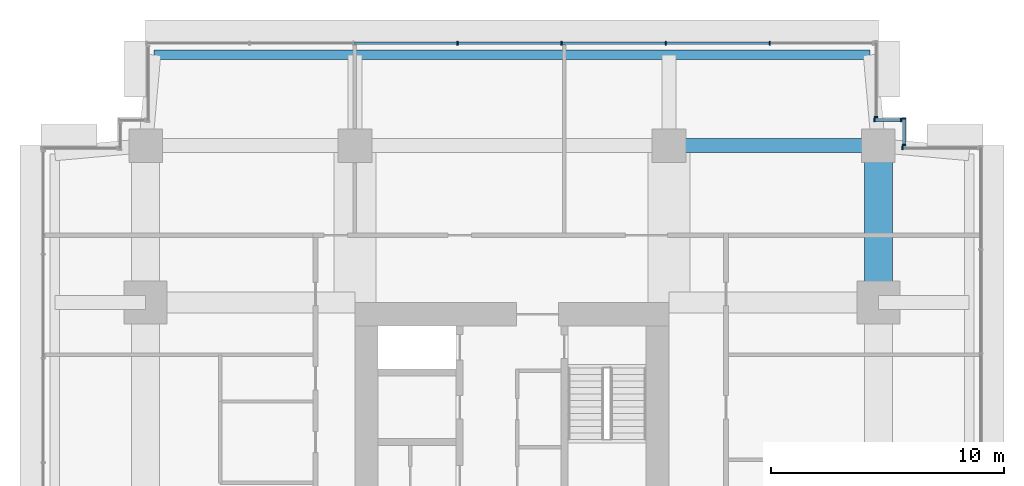
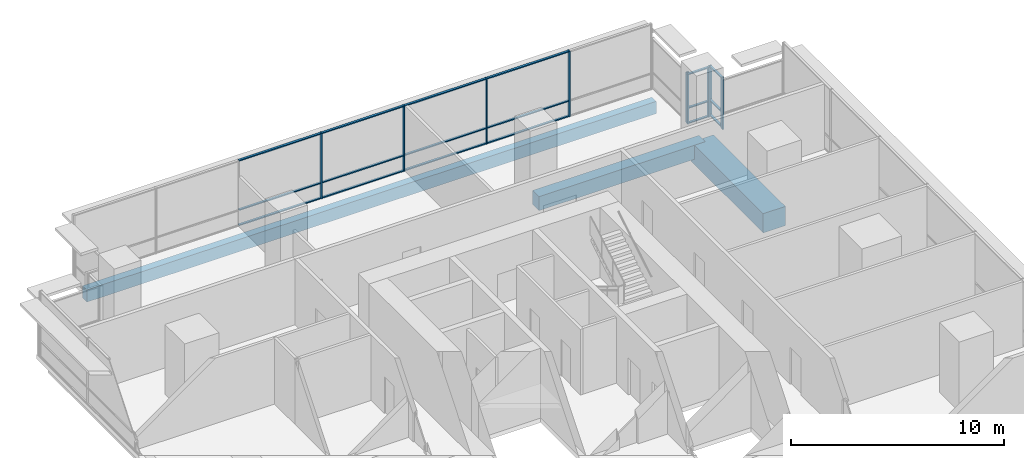
# One storey, part 8 of 14: 28 members, 3 beams, 5 elements without a shape of their own.
"""IFC4 building model written with IfcOpenShell, lengths in metres."""

from ifc_helpers import new_model, si_unit, direction, frame, origin, origin_2d, place, context, subcontext, project, spatial, rectangle, extrude, material, layer, layer_set, material_profile, profile_set, type_object, element, aggregate, save


model = new_model("IFC4")

# Units and contexts
model_context = context("Model", 3, precision=1e-05, world=origin(), true_north=direction((0.0, 1.0)))
body_context = subcontext(model_context, "Body", "Model", "MODEL_VIEW")
ifc_project = project(units=[si_unit("LENGTHUNIT", "METRE"), si_unit("AREAUNIT", "SQUARE_METRE"), si_unit("VOLUMEUNIT", "CUBIC_METRE"), si_unit("PLANEANGLEUNIT", "RADIAN"), si_unit("MASSUNIT", "GRAM", prefix="KILO")], contexts=[model_context])

# Site, building, storey
site_placement = place(None, origin())
site = spatial("IfcSite", under=ifc_project, at=site_placement, CompositionType="ELEMENT")
building_placement = place(site_placement, origin())
building = spatial("IfcBuilding", under=site, at=building_placement, Name="Namib Vertical Campus", CompositionType="ELEMENT")
storey_placement = place(building_placement, frame((0.0, 0.0, 269.0)))
storey = spatial("IfcBuildingStorey", under=building, at=storey_placement, Name="L63", CompositionType="ELEMENT", Elevation=269.0)

# Curtain wall, member
ifc_material_1 = material(Name="Black aluminium curtain wall", Category="aluminium")
ifc_layer = layer(ifc_material_1, 0.199951171875)
ifc_layer_set = layer_set([ifc_layer], Name="Lounge bench curtain wall CW-LB")
curtain_wall_type = type_object("IfcCurtainWallType", Name="Lounge bench curtain wall CW-LB", PredefinedType="USERDEFINED", material=ifc_layer_set)
curtain_wall_1_placement = place(storey_placement, origin())
curtain_wall_1 = element("IfcCurtainWall", 1, at=curtain_wall_1_placement, inside=storey, type_object=curtain_wall_type, Name="Curtain wall CW-LB L63 F07-1", ObjectType="CURTAIN WALL", PredefinedType="USERDEFINED")
ifc_material_2 = material(Name="Black anodised aluminium", Category="aluminium")
ifc_material_profile_1 = material_profile(ifc_material_2, rectangle(XDim=0.06005859375, YDim=0.159912109375, at=origin_2d()))
ifc_profile_set_1 = profile_set([ifc_material_profile_1], Name="Black anodised aluminium")
member_type_1 = type_object("IfcMemberType", Name="Curtain wall mullion 60x160", PredefinedType="MULLION", material=ifc_profile_set_1)
member_1_placement = place(storey_placement, frame((37.030029296875, 35.89990234375, 0.0), z_axis=(0.0, 0.0, 1.0), x_axis=(-1.0, 0.0, 0.0)))
member_1 = element("IfcMember", 2, at=member_1_placement, type_object=member_type_1, Name="CW-LB mullion 2", PredefinedType="MULLION", context=body_context, shape_type="SweptSolid", body=[
    extrude(rectangle(XDim=0.06005859375, YDim=0.159912109375, at=origin_2d()), origin(), (0.0, 0.0, 1.0), 2.85009765625),
])
aggregate(curtain_wall_1, [member_1])

# Curtain wall, members
curtain_wall_2_placement = place(storey_placement, origin())
curtain_wall_2 = element("IfcCurtainWall", 3, at=curtain_wall_2_placement, inside=storey, type_object=curtain_wall_type, Name="Curtain wall CW-LB L63 F08-1", ObjectType="CURTAIN WALL", PredefinedType="USERDEFINED")
member_2_placement = place(storey_placement, frame((37.10009765625, 36.030029296875, 0.0), z_axis=(0.0, 0.0, 1.0), x_axis=(0.0, 1.0, 0.0)))
member_2 = element("IfcMember", 4, at=member_2_placement, type_object=member_type_1, Name="CW-LB mullion 1", PredefinedType="MULLION", context=body_context, shape_type="SweptSolid", body=[
    extrude(rectangle(XDim=0.06005859375, YDim=0.159912109375, at=origin_2d()), origin(), (0.0, 0.0, 1.0), 2.85009765625),
])
member_3_placement = place(storey_placement, frame((37.10009765625, 37.169921875, 0.0), z_axis=(0.0, 0.0, 1.0), x_axis=(0.0, 1.0, 0.0)))
member_3 = element("IfcMember", 5, at=member_3_placement, type_object=member_type_1, Name="CW-LB mullion 2", PredefinedType="MULLION", context=body_context, shape_type="SweptSolid", body=[
    extrude(rectangle(XDim=0.06005859375, YDim=0.159912109375, at=origin_2d()), origin(), (0.0, 0.0, 1.0), 2.85009765625),
])

curtain_wall_3_placement = place(storey_placement, origin())
curtain_wall_3 = element("IfcCurtainWall", 6, at=curtain_wall_3_placement, inside=storey, type_object=curtain_wall_type, Name="Curtain wall CW-LB L63 F09-1", ObjectType="CURTAIN WALL", PredefinedType="USERDEFINED")
member_4_placement = place(storey_placement, frame((36.969970703125, 37.10009765625, 0.0), z_axis=(0.0, 0.0, 1.0), x_axis=(-1.0, 0.0, 0.0)))
member_4 = element("IfcMember", 7, at=member_4_placement, type_object=member_type_1, Name="CW-LB mullion 1", PredefinedType="MULLION", context=body_context, shape_type="SweptSolid", body=[
    extrude(rectangle(XDim=0.06005859375, YDim=0.159912109375, at=origin_2d()), origin(), (0.0, 0.0, 1.0), 2.85009765625),
])
member_5_placement = place(storey_placement, frame((35.830078125, 37.10009765625, 0.0), z_axis=(0.0, 0.0, 1.0), x_axis=(-1.0, 0.0, 0.0)))
member_5 = element("IfcMember", 8, at=member_5_placement, type_object=member_type_1, Name="CW-LB mullion 2", PredefinedType="MULLION", context=body_context, shape_type="SweptSolid", body=[
    extrude(rectangle(XDim=0.06005859375, YDim=0.159912109375, at=origin_2d()), origin(), (0.0, 0.0, 1.0), 2.85009765625),
])

# Curtain wall, member
curtain_wall_4_placement = place(storey_placement, origin())
curtain_wall_4 = element("IfcCurtainWall", 9, at=curtain_wall_4_placement, inside=storey, type_object=curtain_wall_type, Name="Curtain wall CW-LB L63 F10-1", ObjectType="CURTAIN WALL", PredefinedType="USERDEFINED")
member_6_placement = place(storey_placement, frame((35.89990234375, 37.22998046875, 0.0), z_axis=(0.0, 0.0, 1.0), x_axis=(0.0, 1.0, 0.0)))
member_6 = element("IfcMember", 10, at=member_6_placement, type_object=member_type_1, Name="CW-LB mullion 1", PredefinedType="MULLION", context=body_context, shape_type="SweptSolid", body=[
    extrude(rectangle(XDim=0.06005859375, YDim=0.159912109375, at=origin_2d()), origin(), (0.0, 0.0, 1.0), 2.85009765625),
])
aggregate(curtain_wall_4, [member_6])

# Curtain wall, members
curtain_wall_5_placement = place(storey_placement, origin())
curtain_wall_5 = element("IfcCurtainWall", 11, at=curtain_wall_5_placement, inside=storey, type_object=curtain_wall_type, Name="Curtain wall CW-LB L63 F11-1", ObjectType="CURTAIN WALL", PredefinedType="USERDEFINED")
member_7_placement = place(storey_placement, frame((31.32861328125, 40.39990234375, 0.0), z_axis=(0.0, 0.0, 1.0), x_axis=(-1.0, 0.0, 0.0)))
member_7 = element("IfcMember", 12, at=member_7_placement, type_object=member_type_1, Name="CW-LB mullion 2", PredefinedType="MULLION", context=body_context, shape_type="SweptSolid", body=[
    extrude(rectangle(XDim=0.06005859375, YDim=0.159912109375, at=origin_2d()), origin(), (0.0, 0.0, 1.0), 3.75),
])
member_8_placement = place(storey_placement, frame((26.857177734375, 40.39990234375, 0.0), z_axis=(0.0, 0.0, 1.0), x_axis=(-1.0, 0.0, 0.0)))
member_8 = element("IfcMember", 13, at=member_8_placement, type_object=member_type_1, Name="CW-LB mullion 3", PredefinedType="MULLION", context=body_context, shape_type="SweptSolid", body=[
    extrude(rectangle(XDim=0.06005859375, YDim=0.159912109375, at=origin_2d()), origin(), (0.0, 0.0, 1.0), 3.75),
])
member_9_placement = place(storey_placement, frame((22.3857421875, 40.39990234375, 0.0), z_axis=(0.0, 0.0, 1.0), x_axis=(-1.0, 0.0, 0.0)))
member_9 = element("IfcMember", 14, at=member_9_placement, type_object=member_type_1, Name="CW-LB mullion 4", PredefinedType="MULLION", context=body_context, shape_type="SweptSolid", body=[
    extrude(rectangle(XDim=0.06005859375, YDim=0.159912109375, at=origin_2d()), origin(), (0.0, 0.0, 1.0), 3.75),
])
member_10_placement = place(storey_placement, frame((17.914306640625, 40.39990234375, 0.0), z_axis=(0.0, 0.0, 1.0), x_axis=(-1.0, 0.0, 0.0)))
member_10 = element("IfcMember", 15, at=member_10_placement, type_object=member_type_1, Name="CW-LB mullion 5", PredefinedType="MULLION", context=body_context, shape_type="SweptSolid", body=[
    extrude(rectangle(XDim=0.06005859375, YDim=0.159912109375, at=origin_2d()), origin(), (0.0, 0.0, 1.0), 3.75),
])

# Member
ifc_material_3 = material(Name="Black anodised aluminium", Category="aluminium")
ifc_material_profile_2 = material_profile(ifc_material_3, rectangle(XDim=0.06005859375, YDim=0.1201171875, at=origin_2d()))
ifc_profile_set_2 = profile_set([ifc_material_profile_2], Name="Black anodised aluminium")
member_type_2 = type_object("IfcMemberType", Name="Curtain wall transom 60x120", PredefinedType="USERDEFINED", material=ifc_profile_set_2)
member_11_placement = place(storey_placement, frame((37.10009765625, 36.06005859375, 0.030029296875), z_axis=(0.0, 1.0, 0.0), x_axis=(0.0, 0.0, 1.0)))
member_11 = element("IfcMember", 16, at=member_11_placement, type_object=member_type_2, Name="CW-LB transom 1.1", ObjectType="TRANSOM", PredefinedType="USERDEFINED", context=body_context, shape_type="SweptSolid", body=[
    extrude(rectangle(XDim=0.06005859375, YDim=0.1201171875, at=origin_2d()), origin(), (0.0, 0.0, 1.0), 1.079833984375),
])

member_12_placement = place(storey_placement, frame((37.10009765625, 36.06005859375, 0.89990234375), z_axis=(0.0, 1.0, 0.0), x_axis=(0.0, 0.0, 1.0)))
member_12 = element("IfcMember", 17, at=member_12_placement, type_object=member_type_2, Name="CW-LB transom 1.2", ObjectType="TRANSOM", PredefinedType="USERDEFINED", context=body_context, shape_type="SweptSolid", body=[
    extrude(rectangle(XDim=0.06005859375, YDim=0.1201171875, at=origin_2d()), origin(), (0.0, 0.0, 1.0), 1.079833984375),
])

member_13_placement = place(storey_placement, frame((37.10009765625, 36.06005859375, 2.820068359375), z_axis=(0.0, 1.0, 0.0), x_axis=(0.0, 0.0, 1.0)))
member_13 = element("IfcMember", 18, at=member_13_placement, type_object=member_type_2, Name="CW-LB transom 1.3", ObjectType="TRANSOM", PredefinedType="USERDEFINED", context=body_context, shape_type="SweptSolid", body=[
    extrude(rectangle(XDim=0.06005859375, YDim=0.1201171875, at=origin_2d()), origin(), (0.0, 0.0, 1.0), 1.079833984375),
])

aggregate(curtain_wall_2, [member_2, member_3, member_11, member_12, member_13])

member_14_placement = place(storey_placement, frame((36.93994140625, 37.10009765625, 0.030029296875), z_axis=(-1.0, 0.0, 0.0), x_axis=(0.0, 0.0, 1.0)))
member_14 = element("IfcMember", 19, at=member_14_placement, type_object=member_type_2, Name="CW-LB transom 1.1", ObjectType="TRANSOM", PredefinedType="USERDEFINED", context=body_context, shape_type="SweptSolid", body=[
    extrude(rectangle(XDim=0.06005859375, YDim=0.1201171875, at=origin_2d()), origin(), (0.0, 0.0, 1.0), 1.079833984375),
])

member_15_placement = place(storey_placement, frame((36.93994140625, 37.10009765625, 0.89990234375), z_axis=(-1.0, 0.0, 0.0), x_axis=(0.0, 0.0, 1.0)))
member_15 = element("IfcMember", 20, at=member_15_placement, type_object=member_type_2, Name="CW-LB transom 1.2", ObjectType="TRANSOM", PredefinedType="USERDEFINED", context=body_context, shape_type="SweptSolid", body=[
    extrude(rectangle(XDim=0.06005859375, YDim=0.1201171875, at=origin_2d()), origin(), (0.0, 0.0, 1.0), 1.079833984375),
])

member_16_placement = place(storey_placement, frame((36.93994140625, 37.10009765625, 2.820068359375), z_axis=(-1.0, 0.0, 0.0), x_axis=(0.0, 0.0, 1.0)))
member_16 = element("IfcMember", 21, at=member_16_placement, type_object=member_type_2, Name="CW-LB transom 1.3", ObjectType="TRANSOM", PredefinedType="USERDEFINED", context=body_context, shape_type="SweptSolid", body=[
    extrude(rectangle(XDim=0.06005859375, YDim=0.1201171875, at=origin_2d()), origin(), (0.0, 0.0, 1.0), 1.079833984375),
])

aggregate(curtain_wall_3, [member_4, member_5, member_14, member_15, member_16])

member_17_placement = place(storey_placement, frame((31.298583984375, 40.39990234375, 0.030029296875), z_axis=(-1.0, 0.0, 0.0), x_axis=(0.0, 0.0, 1.0)))
member_17 = element("IfcMember", 22, at=member_17_placement, type_object=member_type_2, Name="CW-LB transom 2.1", ObjectType="TRANSOM", PredefinedType="USERDEFINED", context=body_context, shape_type="SweptSolid", body=[
    extrude(rectangle(XDim=0.06005859375, YDim=0.1201171875, at=origin_2d()), origin(), (0.0, 0.0, 1.0), 4.411376953125),
])

member_18_placement = place(storey_placement, frame((31.298583984375, 40.39990234375, 0.89990234375), z_axis=(-1.0, 0.0, 0.0), x_axis=(0.0, 0.0, 1.0)))
member_18 = element("IfcMember", 23, at=member_18_placement, type_object=member_type_2, Name="CW-LB transom 2.2", ObjectType="TRANSOM", PredefinedType="USERDEFINED", context=body_context, shape_type="SweptSolid", body=[
    extrude(rectangle(XDim=0.06005859375, YDim=0.1201171875, at=origin_2d()), origin(), (0.0, 0.0, 1.0), 4.411376953125),
])

member_19_placement = place(storey_placement, frame((31.298583984375, 40.39990234375, 3.719970703125), z_axis=(-1.0, 0.0, 0.0), x_axis=(0.0, 0.0, 1.0)))
member_19 = element("IfcMember", 24, at=member_19_placement, type_object=member_type_2, Name="CW-LB transom 2.3", ObjectType="TRANSOM", PredefinedType="USERDEFINED", context=body_context, shape_type="SweptSolid", body=[
    extrude(rectangle(XDim=0.06005859375, YDim=0.1201171875, at=origin_2d()), origin(), (0.0, 0.0, 1.0), 4.411376953125),
])

member_20_placement = place(storey_placement, frame((26.8271484375, 40.39990234375, 0.030029296875), z_axis=(-1.0, 0.0, 0.0), x_axis=(0.0, 0.0, 1.0)))
member_20 = element("IfcMember", 25, at=member_20_placement, type_object=member_type_2, Name="CW-LB transom 3.1", ObjectType="TRANSOM", PredefinedType="USERDEFINED", context=body_context, shape_type="SweptSolid", body=[
    extrude(rectangle(XDim=0.06005859375, YDim=0.1201171875, at=origin_2d()), origin(), (0.0, 0.0, 1.0), 4.411376953125),
])

member_21_placement = place(storey_placement, frame((26.8271484375, 40.39990234375, 0.89990234375), z_axis=(-1.0, 0.0, 0.0), x_axis=(0.0, 0.0, 1.0)))
member_21 = element("IfcMember", 26, at=member_21_placement, type_object=member_type_2, Name="CW-LB transom 3.2", ObjectType="TRANSOM", PredefinedType="USERDEFINED", context=body_context, shape_type="SweptSolid", body=[
    extrude(rectangle(XDim=0.06005859375, YDim=0.1201171875, at=origin_2d()), origin(), (0.0, 0.0, 1.0), 4.411376953125),
])

member_22_placement = place(storey_placement, frame((26.8271484375, 40.39990234375, 3.719970703125), z_axis=(-1.0, 0.0, 0.0), x_axis=(0.0, 0.0, 1.0)))
member_22 = element("IfcMember", 27, at=member_22_placement, type_object=member_type_2, Name="CW-LB transom 3.3", ObjectType="TRANSOM", PredefinedType="USERDEFINED", context=body_context, shape_type="SweptSolid", body=[
    extrude(rectangle(XDim=0.06005859375, YDim=0.1201171875, at=origin_2d()), origin(), (0.0, 0.0, 1.0), 4.411376953125),
])

member_23_placement = place(storey_placement, frame((22.355712890625, 40.39990234375, 0.030029296875), z_axis=(-1.0, 0.0, 0.0), x_axis=(0.0, 0.0, 1.0)))
member_23 = element("IfcMember", 28, at=member_23_placement, type_object=member_type_2, Name="CW-LB transom 4.1", ObjectType="TRANSOM", PredefinedType="USERDEFINED", context=body_context, shape_type="SweptSolid", body=[
    extrude(rectangle(XDim=0.06005859375, YDim=0.1201171875, at=origin_2d()), origin(), (0.0, 0.0, 1.0), 4.411376953125),
])

member_24_placement = place(storey_placement, frame((22.355712890625, 40.39990234375, 0.89990234375), z_axis=(-1.0, 0.0, 0.0), x_axis=(0.0, 0.0, 1.0)))
member_24 = element("IfcMember", 29, at=member_24_placement, type_object=member_type_2, Name="CW-LB transom 4.2", ObjectType="TRANSOM", PredefinedType="USERDEFINED", context=body_context, shape_type="SweptSolid", body=[
    extrude(rectangle(XDim=0.06005859375, YDim=0.1201171875, at=origin_2d()), origin(), (0.0, 0.0, 1.0), 4.411376953125),
])

member_25_placement = place(storey_placement, frame((22.355712890625, 40.39990234375, 3.719970703125), z_axis=(-1.0, 0.0, 0.0), x_axis=(0.0, 0.0, 1.0)))
member_25 = element("IfcMember", 30, at=member_25_placement, type_object=member_type_2, Name="CW-LB transom 4.3", ObjectType="TRANSOM", PredefinedType="USERDEFINED", context=body_context, shape_type="SweptSolid", body=[
    extrude(rectangle(XDim=0.06005859375, YDim=0.1201171875, at=origin_2d()), origin(), (0.0, 0.0, 1.0), 4.411376953125),
])

member_26_placement = place(storey_placement, frame((17.88427734375, 40.39990234375, 0.030029296875), z_axis=(-1.0, 0.0, 0.0), x_axis=(0.0, 0.0, 1.0)))
member_26 = element("IfcMember", 31, at=member_26_placement, type_object=member_type_2, Name="CW-LB transom 5.1", ObjectType="TRANSOM", PredefinedType="USERDEFINED", context=body_context, shape_type="SweptSolid", body=[
    extrude(rectangle(XDim=0.06005859375, YDim=0.1201171875, at=origin_2d()), origin(), (0.0, 0.0, 1.0), 4.411376953125),
])

member_27_placement = place(storey_placement, frame((17.88427734375, 40.39990234375, 0.89990234375), z_axis=(-1.0, 0.0, 0.0), x_axis=(0.0, 0.0, 1.0)))
member_27 = element("IfcMember", 32, at=member_27_placement, type_object=member_type_2, Name="CW-LB transom 5.2", ObjectType="TRANSOM", PredefinedType="USERDEFINED", context=body_context, shape_type="SweptSolid", body=[
    extrude(rectangle(XDim=0.06005859375, YDim=0.1201171875, at=origin_2d()), origin(), (0.0, 0.0, 1.0), 4.411376953125),
])

member_28_placement = place(storey_placement, frame((17.88427734375, 40.39990234375, 3.719970703125), z_axis=(-1.0, 0.0, 0.0), x_axis=(0.0, 0.0, 1.0)))
member_28 = element("IfcMember", 33, at=member_28_placement, type_object=member_type_2, Name="CW-LB transom 5.3", ObjectType="TRANSOM", PredefinedType="USERDEFINED", context=body_context, shape_type="SweptSolid", body=[
    extrude(rectangle(XDim=0.06005859375, YDim=0.1201171875, at=origin_2d()), origin(), (0.0, 0.0, 1.0), 4.411376953125),
])

aggregate(curtain_wall_5, [member_7, member_8, member_9, member_10, member_17, member_18, member_19, member_20, member_21, member_22, member_23, member_24, member_25, member_26, member_27, member_28])

# Beams
ifc_material_4 = material(Name="Concrete C40/50", Category="concrete")
ifc_material_profile_3 = material_profile(ifc_material_4, rectangle(XDim=0.39990234375, YDim=0.699951171875, at=origin_2d()))
ifc_profile_set_3 = profile_set([ifc_material_profile_3], Name="Concrete C40/50")
beam_type_1 = type_object("IfcBeamType", Name="Edge beam RC 400x700", PredefinedType="SPANDREL", material=ifc_profile_set_3)
beam_1_placement = place(storey_placement, frame((4.85009765625, 39.89990234375, -0.60009765625), z_axis=(1.0, 0.0, 0.0), x_axis=(0.0, 1.0, 0.0)))
element("IfcBeam", 34, at=beam_1_placement, inside=storey, type_object=beam_type_1, Name="Beam B4 L63", PredefinedType="SPANDREL", context=body_context, shape_type="SweptSolid", body=[
    extrude(rectangle(XDim=0.39990234375, YDim=0.699951171875, at=origin_2d()), origin(), (0.0, 0.0, 1.0), 30.7998046875),
])
ifc_material_5 = material(Name="Concrete C40/50", Category="concrete")
ifc_material_profile_4 = material_profile(ifc_material_5, rectangle(XDim=1.199951171875, YDim=1.10009765625, at=origin_2d()))
ifc_profile_set_4 = profile_set([ifc_material_profile_4], Name="Concrete C40/50")
beam_type_2 = type_object("IfcBeamType", Name="Face ring beam RC 1200x1100", PredefinedType="BEAM", material=ifc_profile_set_4)
beam_2_placement = place(storey_placement, frame((36.0, 29.25, -0.800048828125), z_axis=(0.0, 1.0, 0.0), x_axis=(-1.0, 0.0, 0.0)))
element("IfcBeam", 35, at=beam_2_placement, inside=storey, type_object=beam_type_2, Name="Beam B11 L63", PredefinedType="BEAM", context=body_context, shape_type="SweptSolid", body=[
    extrude(rectangle(XDim=1.199951171875, YDim=1.10009765625, at=origin_2d()), origin(), (0.0, 0.0, 1.0), 6.75),
])
ifc_material_6 = material(Name="Concrete C40/50", Category="concrete")
ifc_material_profile_5 = material_profile(ifc_material_6, rectangle(XDim=0.60009765625, YDim=0.800048828125, at=origin_2d()))
ifc_profile_set_5 = profile_set([ifc_material_profile_5], Name="Concrete C40/50")
beam_type_3 = type_object("IfcBeamType", Name="Ring beam RC 600x800", PredefinedType="BEAM", material=ifc_profile_set_5)
beam_3_placement = place(storey_placement, frame((27.0, 36.0, -0.64990234375), z_axis=(1.0, 0.0, 0.0), x_axis=(0.0, 1.0, 0.0)))
element("IfcBeam", 36, at=beam_3_placement, inside=storey, type_object=beam_type_3, Name="Beam B1 L63", PredefinedType="BEAM", context=body_context, shape_type="SweptSolid", body=[
    extrude(rectangle(XDim=0.60009765625, YDim=0.800048828125, at=origin_2d()), origin(), (0.0, 0.0, 1.0), 9.0),
])

save(model, "model.ifc")
